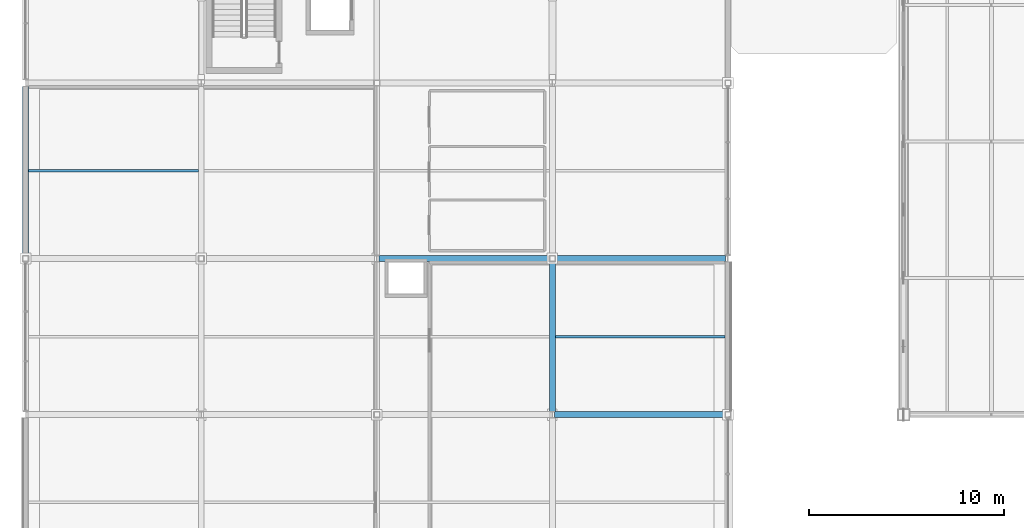
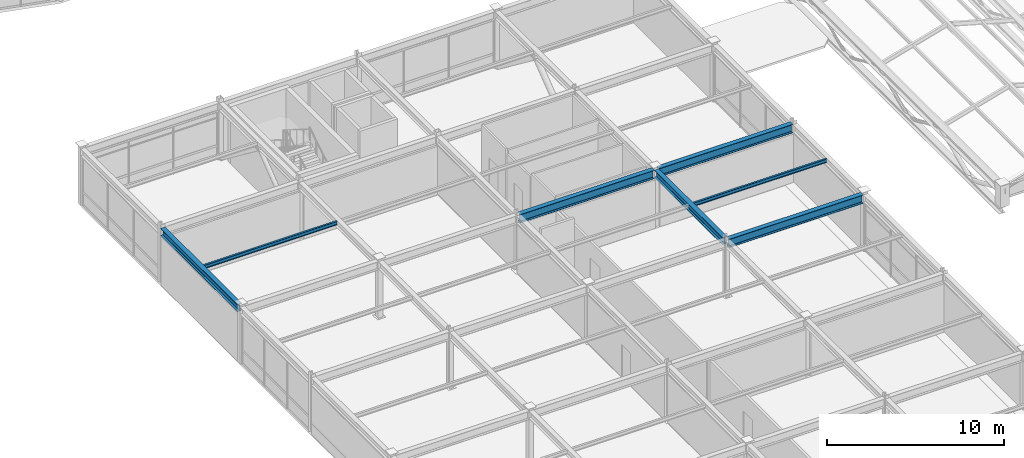
# One storey, part 28 of 108: 7 beams.
"""IFC4 building model written with IfcOpenShell, lengths in metres."""

from ifc_helpers import new_model, si_unit, direction, frame, origin, origin_2d, place, context, subcontext, project, spatial, i_section, extrude, material, material_profile, profile_set, type_object, element, save


model = new_model("IFC4")

# Units and contexts
model_context = context("Model", 3, precision=1e-05, world=origin(), true_north=direction((0.0, 1.0)))
body_context = subcontext(model_context, "Body", "Model", "MODEL_VIEW")
ifc_project = project(units=[si_unit("LENGTHUNIT", "METRE"), si_unit("AREAUNIT", "SQUARE_METRE"), si_unit("VOLUMEUNIT", "CUBIC_METRE"), si_unit("PLANEANGLEUNIT", "RADIAN"), si_unit("MASSUNIT", "GRAM", prefix="KILO")], contexts=[model_context])

# Site, building, storey
site_placement = place(None, origin())
site = spatial("IfcSite", under=ifc_project, at=site_placement, CompositionType="ELEMENT")
building_placement = place(site_placement, origin())
building = spatial("IfcBuilding", under=site, at=building_placement, Name="Suzunagisa Mobility Hub", CompositionType="ELEMENT")
storey_placement = place(building_placement, frame((0.0, 0.0, 9.300048828125)))
storey = spatial("IfcBuildingStorey", under=building, at=storey_placement, Name="L02", CompositionType="ELEMENT", Elevation=9.300048828125)

# Beams
ifc_material_1 = material(Name="Steel SN490B", Category="steel")
ifc_material_profile_1 = material_profile(ifc_material_1, i_section(OverallWidth=0.300048828125, OverallDepth=0.488037109375, WebThickness=0.010986328125, FlangeThickness=0.01806640625, FilletRadius=0.012939453125, at=origin_2d()), Name="H-488x300x11x18")
ifc_profile_set_1 = profile_set([ifc_material_profile_1], Name="Steel SN490B")
beam_type_1 = type_object("IfcBeamType", Name="Steel Beam BM-06 H-488x300x11x18", PredefinedType="BEAM", material=ifc_profile_set_1)
beam_1_placement = place(storey_placement, frame((0.0, 44.14599609375, 3.676025390625), z_axis=(0.0, 1.0, 0.0), x_axis=(-1.0, 0.0, 0.0)))
element("IfcBeam", 1, at=beam_1_placement, inside=storey, type_object=beam_type_1, Name="L02 Primary Girder GY-301", PredefinedType="BEAM", context=body_context, shape_type="SweptSolid", body=[
    extrude(i_section(OverallWidth=0.300048828125, OverallDepth=0.488037109375, WebThickness=0.010986328125, FlangeThickness=0.01806640625, FilletRadius=0.012939453125, at=origin_2d()), origin(), (0.0, 0.0, 1.0), 8.68798828125),
])
beam_2_placement = place(storey_placement, frame((27.0, 36.166015625, 3.676025390625), z_axis=(0.0, 1.0, 0.0), x_axis=(-1.0, 0.0, 0.0)))
element("IfcBeam", 2, at=beam_2_placement, inside=storey, type_object=beam_type_1, Name="L02 Primary Girder GY-318", PredefinedType="BEAM", context=body_context, shape_type="SweptSolid", body=[
    extrude(i_section(OverallWidth=0.300048828125, OverallDepth=0.488037109375, WebThickness=0.010986328125, FlangeThickness=0.01806640625, FilletRadius=0.012939453125, at=origin_2d()), origin(), (0.0, 0.0, 1.0), 7.68798828125),
])
ifc_material_profile_2 = material_profile(ifc_material_1, i_section(OverallWidth=0.300048828125, OverallDepth=0.587890625, WebThickness=0.011962890625, FlangeThickness=0.02001953125, FilletRadius=0.012939453125, at=origin_2d()), Name="H-588x300x12x20")
ifc_profile_set_2 = profile_set([ifc_material_profile_2], Name="Steel SN490B")
beam_type_2 = type_object("IfcBeamType", Name="Steel Beam BM-16 H-588x300x12x20", PredefinedType="BEAM", material=ifc_profile_set_2)
for number, where, z_axis, x_axis, name in (
    (3, (27.12109375, 36.0, 3.6259765625), (1.0, 0.0, 0.0), (0.0, 1.0, 0.0), "L02 Primary Girder GX-285"),
    (4, (18.12109375, 44.0, 3.6259765625), (1.0, 0.0, 0.0), (0.0, 1.0, 0.0), "L02 Primary Girder GX-288"),
    (5, (27.14599609375, 44.0, 3.6259765625), (1.0, 0.0, 0.0), (0.0, 1.0, 0.0), "L02 Primary Girder GX-289"),
):
    element("IfcBeam", number, at=place(storey_placement, frame(where, z_axis=z_axis, x_axis=x_axis)), inside=storey, type_object=beam_type_2, Name=name, PredefinedType="BEAM", context=body_context, shape_type="SweptSolid", body=[
        extrude(i_section(OverallWidth=0.300048828125, OverallDepth=0.587890625, WebThickness=0.011962890625, FlangeThickness=0.02001953125, FilletRadius=0.012939453125, at=origin_2d()), origin(), (0.0, 0.0, 1.0), 8.73291015625),
    ])
ifc_material_2 = material(Name="Steel SN400B", Category="steel")
ifc_material_profile_3 = material_profile(ifc_material_2, i_section(OverallWidth=0.125, OverallDepth=0.25, WebThickness=0.006103515625, FlangeThickness=0.009033203125, FilletRadius=0.008056640625, at=origin_2d()), Name="H-250x125x6x9")
ifc_profile_set_3 = profile_set([ifc_material_profile_3], Name="Steel SN400B")
beam_type_3 = type_object("IfcBeamType", Name="Steel Beam BM-21 H-250x125x6x9", PredefinedType="JOIST", material=ifc_profile_set_3)
for number, where, z_axis, x_axis, name in (
    (6, (0.14990234375, 48.5, 3.794921875), (1.0, 0.0, 0.0), (0.0, 1.0, 0.0), "L02 Composite Floor Joist J-331"),
    (7, (27.14990234375, 40.0, 3.794921875), (1.0, 0.0, 0.0), (0.0, 1.0, 0.0), "L02 Composite Floor Joist J-346"),
):
    element("IfcBeam", number, at=place(storey_placement, frame(where, z_axis=z_axis, x_axis=x_axis)), inside=storey, type_object=beam_type_3, Name=name, PredefinedType="JOIST", context=body_context, shape_type="SweptSolid", body=[
        extrude(i_section(OverallWidth=0.125, OverallDepth=0.25, WebThickness=0.006103515625, FlangeThickness=0.009033203125, FilletRadius=0.008056640625, at=origin_2d()), origin(), (0.0, 0.0, 1.0), 8.7001953125),
    ])

save(model, "model.ifc")
